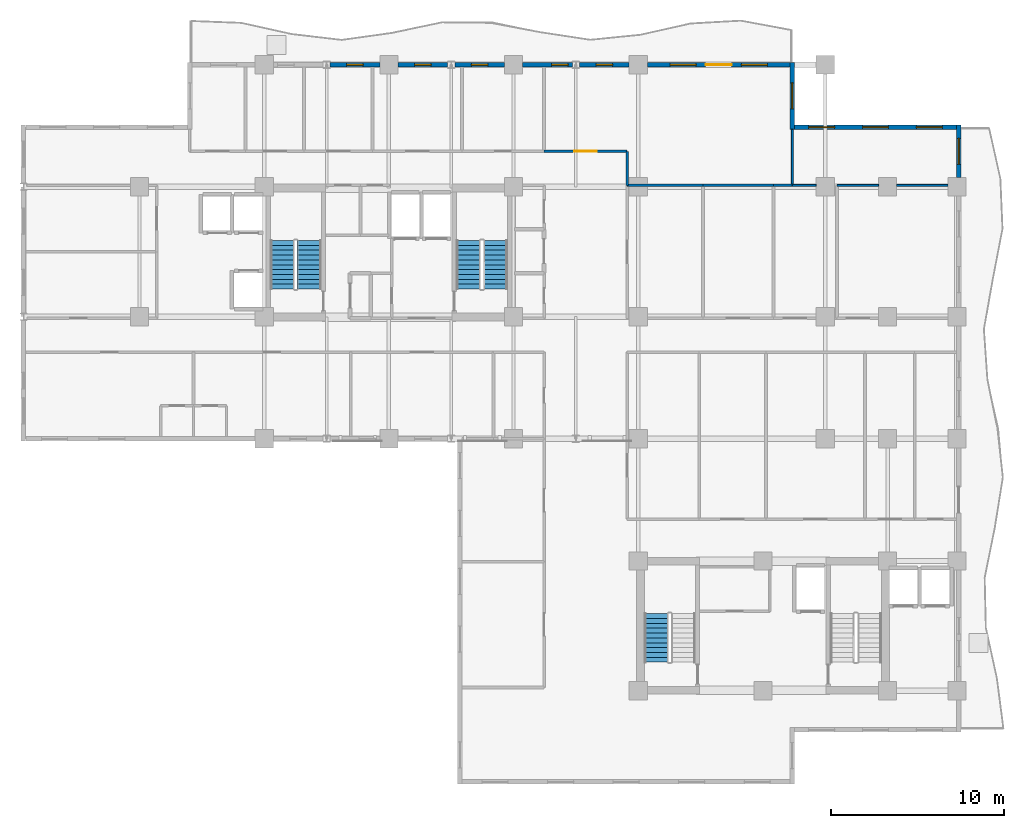
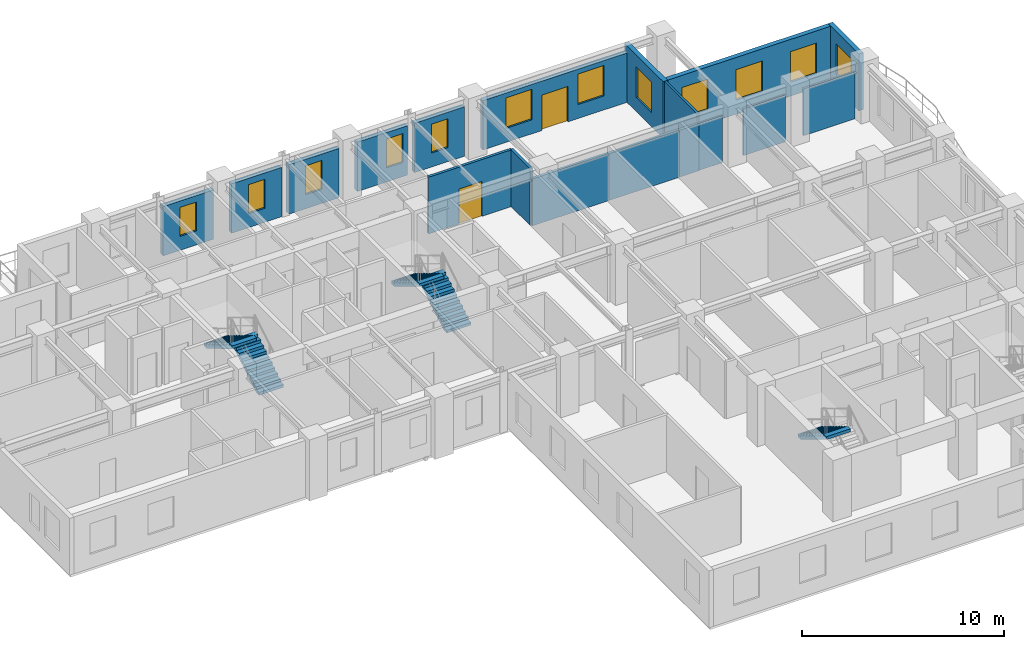
# One storey, part 9 of 13: 18 walls, 12 windows, 5 stair flights, 2 doors, 14 openings, 3 elements without a shape of their own.
"""IFC4 building model written with IfcOpenShell, lengths in metres."""

import ifcopenshell
import ifcopenshell.guid

model = None  # the IFC model being written
_history = None  # IfcOwnerHistory: only IFC2X3 demands one
_inside = {}  # id of a spatial element -> (the spatial element, [elements in it])
_under = {}  # id of a project, library or spatial element -> (it, [spatial elements below it])
_declared = {}  # id of a project -> (the project, [libraries it declares])
_typed = {}  # id of a type object -> (the type object, [elements of that type])
_made_of = {}  # id of a material, layer set ... -> (it, [elements and type objects made of it])


def new_model(schema):
    """Start an empty IFC model of exactly this schema.

    Asked for "IFC4X3", IfcOpenShell would pick the latest addendum, in which some entities
    have other attributes; the version numbers below select the first issue.
    IFC2X3 requires an IfcOwnerHistory on every rooted entity: one is made here for all.
    """
    global model, _history
    if schema == "IFC4X3":
        model = ifcopenshell.file(schema_version=(4, 3, 0, 0))
    else:
        model = ifcopenshell.file(schema=schema)
    _inside.clear()
    _under.clear()
    _declared.clear()
    _typed.clear()
    _made_of.clear()
    _history = None
    if model.schema == "IFC2X3":
        org = make("IfcOrganization", Name="unknown")
        user = make(
            "IfcPersonAndOrganization",
            ThePerson=make("IfcPerson", FamilyName="unknown"),
            TheOrganization=org,
        )
        app = make(
            "IfcApplication",
            ApplicationDeveloper=org,
            Version="unknown",
            ApplicationFullName="unknown",
            ApplicationIdentifier="unknown",
        )
        _history = make(
            "IfcOwnerHistory",
            OwningUser=user,
            OwningApplication=app,
            ChangeAction="ADDED",
            CreationDate=0,
        )
    return model


def make(cls, **values):
    """One entity of the class cls with the attributes given. An attribute that is None is left unset."""
    return model.create_entity(
        cls, **{name: value for name, value in values.items() if value is not None}
    )


def rooted(cls, **values):
    """An entity with a GlobalId (a new one), such as an element, a storey or a relation."""
    return make(cls, GlobalId=ifcopenshell.guid.new(), OwnerHistory=_history, **values)


def si_unit(unit_type, name, prefix=None):
    """IfcSIUnit, for example si_unit("LENGTHUNIT", "METRE", prefix="MILLI")."""
    return make("IfcSIUnit", UnitType=unit_type, Prefix=prefix, Name=name)


def assignment(units):
    """IfcUnitAssignment: the units of a project."""
    return None if units is None else make("IfcUnitAssignment", Units=units)


def point(xyz):
    """IfcCartesianPoint."""
    return None if xyz is None else make("IfcCartesianPoint", Coordinates=xyz)


def direction(xyz):
    """IfcDirection."""
    return None if xyz is None else make("IfcDirection", DirectionRatios=xyz)


def frame(location, z_axis=None, x_axis=None):
    """IfcAxis2Placement3D, a coordinate frame: its origin and axes. An axis left out is left unset."""
    return make(
        "IfcAxis2Placement3D",
        Location=point(location),
        Axis=direction(z_axis),
        RefDirection=direction(x_axis),
    )


def frame_2d(location, x_axis=None):
    """IfcAxis2Placement2D, a coordinate frame in the plane: its origin and x axis."""
    return make(
        "IfcAxis2Placement2D", Location=point(location), RefDirection=direction(x_axis)
    )


def origin():
    """The frame at (0, 0, 0) with its axes left unset."""
    return frame((0.0, 0.0, 0.0))


def place(relative_to, where):
    """IfcLocalPlacement: puts the frame where relative to a parent placement (None: the world)."""
    return make(
        "IfcLocalPlacement", PlacementRelTo=relative_to, RelativePlacement=where
    )


def context(
    kind, dimensions, precision=None, world=None, true_north=None, identifier=None
):
    """IfcGeometricRepresentationContext, for example the 3D "Model" context."""
    return make(
        "IfcGeometricRepresentationContext",
        ContextIdentifier=identifier,
        ContextType=kind,
        CoordinateSpaceDimension=dimensions,
        Precision=precision,
        WorldCoordinateSystem=world,
        TrueNorth=true_north,
    )


def subcontext(parent, identifier, kind, view, scale=None):
    """IfcGeometricRepresentationSubContext, for example "Body" below "Model"."""
    return make(
        "IfcGeometricRepresentationSubContext",
        ContextIdentifier=identifier,
        ContextType=kind,
        ParentContext=parent,
        TargetScale=scale,
        TargetView=view,
    )


def project(units=None, contexts=None):
    """IfcProject with its units and contexts."""
    return rooted(
        "IfcProject",
        Name="project",
        RepresentationContexts=contexts,
        UnitsInContext=assignment(units),
    )


def spatial(cls, under=None, at=None, **own):
    """A site, building, storey or space (cls), placed at a placement, below another one or the project."""
    s = rooted(cls, ObjectPlacement=at, **own)
    if under is not None:
        _under.setdefault(under.id(), (under, []))[1].append(s)
    return s


def polyline(points):
    """IfcPolyline through the points."""
    return make("IfcPolyline", Points=[point(p) for p in points])


def profile(cls, at=None, kind="AREA", **sizes):
    """A parametric profile (cls). Its sizes go by their IFC names, for example OverallWidth=200.0."""
    return make(cls, ProfileType=kind, Position=at, **sizes)


def rectangle(**sizes):
    """IfcRectangleProfileDef."""
    return profile("IfcRectangleProfileDef", **sizes)


def outline(outer, holes=None, kind="AREA"):
    """IfcArbitraryClosedProfileDef: a profile drawn as a closed curve; with holes, ...WithVoids."""
    if holes is None:
        return make("IfcArbitraryClosedProfileDef", ProfileType=kind, OuterCurve=outer)
    return make(
        "IfcArbitraryProfileDefWithVoids",
        ProfileType=kind,
        OuterCurve=outer,
        InnerCurves=holes,
    )


def extrude(swept, where, along, depth):
    """IfcExtrudedAreaSolid: the profile swept, set in the frame where, extruded along a direction by depth."""
    return make(
        "IfcExtrudedAreaSolid",
        SweptArea=swept,
        Position=where,
        ExtrudedDirection=direction(along),
        Depth=depth,
    )


def shape(context_of_items, identifier, shape_type, items):
    """IfcShapeRepresentation: the items that make up one representation, for example the "Body"."""
    return make(
        "IfcShapeRepresentation",
        ContextOfItems=context_of_items,
        RepresentationIdentifier=identifier,
        RepresentationType=shape_type,
        Items=items,
    )


def material(Name=None, Category=None):
    """IfcMaterial."""
    return make("IfcMaterial", Name=Name, Category=Category)


def layer(
    of_material, thickness, ventilated=None, Name=None, Category=None, Priority=None
):
    """IfcMaterialLayer: one layer of a wall or slab, of a material (None: an air gap)."""
    return make(
        "IfcMaterialLayer",
        Material=of_material,
        LayerThickness=thickness,
        IsVentilated=ventilated,
        Name=Name,
        Category=Category,
        Priority=Priority,
    )


def layer_set(layers, Name=None):
    """IfcMaterialLayerSet."""
    return make("IfcMaterialLayerSet", MaterialLayers=layers, LayerSetName=Name)


def made_of(thing, what):
    """Note that an element or type object is made of a material, layer set ...; save() writes the relation."""
    if what is not None:
        _made_of.setdefault(what.id(), (what, []))[1].append(thing)
    return thing


def type_object(cls, material=None, **own):
    """A type object (cls), such as IfcWallType, which elements share."""
    return made_of(rooted(cls, **own), material)


def element(
    cls,
    number,
    at=None,
    inside=None,
    cuts=None,
    type_object=None,
    material=None,
    context=None,
    identifier="Body",
    shape_type=None,
    held_by="IfcProductDefinitionShape",
    body=None,
    shapes=None,
    **own,
):
    """One element of the class cls, such as IfcWall. Its Tag is "e" and its number.

    at: its placement. inside: the storey or other place that contains it. cuts: it is an
    opening in that element (IfcRelVoidsElement). A single representation is given by context,
    identifier, shape_type and body (its items); several are given by shapes. held_by: the class
    of the entity that holds the representations. save() writes the other relations.
    """
    e = rooted(cls, Tag="e%d" % number, ObjectPlacement=at, **own)
    if body is not None:
        shapes = [shape(context, identifier, shape_type, body)]
    if shapes is not None:
        e.Representation = make(held_by, Representations=shapes)
    if inside is not None:
        _inside.setdefault(inside.id(), (inside, []))[1].append(e)
    if cuts is not None:
        rooted(
            "IfcRelVoidsElement", RelatingBuildingElement=cuts, RelatedOpeningElement=e
        )
    if type_object is not None:
        _typed.setdefault(type_object.id(), (type_object, []))[1].append(e)
    return made_of(e, material)


def fill(opening, filler):
    """IfcRelFillsElement: the door or window that sits in an opening."""
    return rooted(
        "IfcRelFillsElement",
        RelatingOpeningElement=opening,
        RelatedBuildingElement=filler,
    )


def aggregate(whole, parts):
    """IfcRelAggregates: a whole, such as a stair, and the parts it consists of."""
    return rooted("IfcRelAggregates", RelatingObject=whole, RelatedObjects=parts)


def save(model, path):
    """Write the relations noted so far, then the file.

    IfcRelAggregates (storeys below a building ...), IfcRelContainedInSpatialStructure (elements
    in a storey), IfcRelDefinesByType, IfcRelAssociatesMaterial and IfcRelDeclares: one each for
    every whole, place, type object, material and project.
    """
    for whole, parts in _under.values():
        aggregate(whole, parts)
    for where, things in _inside.values():
        rooted(
            "IfcRelContainedInSpatialStructure",
            RelatedElements=things,
            RelatingStructure=where,
        )
    for kind, things in _typed.values():
        rooted("IfcRelDefinesByType", RelatedObjects=things, RelatingType=kind)
    for what, things in _made_of.values():
        rooted("IfcRelAssociatesMaterial", RelatedObjects=things, RelatingMaterial=what)
    for by, libraries in _declared.values():
        rooted("IfcRelDeclares", RelatingContext=by, RelatedDefinitions=libraries)
    model.write(path)


model = new_model("IFC4")

# Units and contexts
model_context = context("Model", 3, precision=1e-05, world=origin(), true_north=direction((0.0, 1.0)))
body_context = subcontext(model_context, "Body", "Model", "MODEL_VIEW")
ifc_project = project(units=[si_unit("LENGTHUNIT", "METRE"), si_unit("AREAUNIT", "SQUARE_METRE"), si_unit("VOLUMEUNIT", "CUBIC_METRE"), si_unit("PLANEANGLEUNIT", "RADIAN"), si_unit("MASSUNIT", "GRAM", prefix="KILO")], contexts=[model_context])

# Site, building, storey
site_placement = place(None, origin())
site = spatial("IfcSite", under=ifc_project, at=site_placement, CompositionType="ELEMENT")
building_placement = place(site_placement, origin())
building = spatial("IfcBuilding", under=site, at=building_placement, Name="Kaliganga Portal Commons", CompositionType="ELEMENT")
storey_placement = place(building_placement, frame((0.0, 0.0, 173.5)))
storey = spatial("IfcBuildingStorey", under=building, at=storey_placement, Name="L44", CompositionType="ELEMENT", Elevation=173.5)

# Wall, opening, window
ifc_material_1 = material(Name="Insulated Aluminium-Clad Spandrel Assembly", Category="aluminium")
ifc_layer_1 = layer(ifc_material_1, 0.260009765625)
ifc_layer_set_1 = layer_set([ifc_layer_1], Name="Insulated Aluminium-Clad Spandrel Assembly")
wall_type_1 = type_object("IfcWallType", Name="WL-EXT-SPAND-260", PredefinedType="STANDARD", material=ifc_layer_set_1)
wall_1_placement = place(storey_placement, frame((54.5, 39.72998046875, 0.0), z_axis=(0.0, 0.0, 1.0), x_axis=(0.0, -1.0, 0.0)))
wall_1 = element("IfcWall", 1, at=wall_1_placement, inside=storey, type_object=wall_type_1, Name="Exterior Envelope Wall L44 P1-E03-S6", PredefinedType="STANDARD", context=body_context, shape_type="SweptSolid", body=[
    extrude(rectangle(XDim=3.053955078125, YDim=0.260009765625, at=frame_2d((1.52685546875, 0.0))), origin(), (0.0, 0.0, 1.0), 3.43994140625),
])
opening_1_placement = place(wall_1_placement, frame((0.777099609375, 0.0, 0.85009765625)))
opening_1 = element("IfcOpeningElement", 2, at=opening_1_placement, cuts=wall_1, Name="Opening W-02", PredefinedType="OPENING", context=body_context, shape_type="SweptSolid", body=[
    extrude(rectangle(XDim=1.5, YDim=1.85009765625, at=frame_2d((0.75, 0.925048828125))), frame((0.0, 0.14013671875, 0.0), z_axis=(0.0, -1.0, 0.0), x_axis=(1.0, 0.0, 0.0)), (0.0, 0.0, 1.0), 0.280029296875),
])
ifc_material_2 = material(Name="Thermally Broken Aluminium and Low-E Double Glazing", Category="aluminium")
window_type_1 = type_object("IfcWindowType", Name="WIN-STD-1500", PartitioningType="DOUBLE_PANEL_VERTICAL", PredefinedType="WINDOW", material=ifc_material_2)
window_1_placement = place(opening_1_placement, origin())
window_1 = element("IfcWindow", 3, at=window_1_placement, inside=storey, type_object=window_type_1, Name="Facade Window L44-P1E03S6-00", OverallHeight=1.85009765625, OverallWidth=1.5, PartitioningType="SINGLE_PANEL", PredefinedType="WINDOW", context=body_context, shape_type="SweptSolid", body=[
    extrude(rectangle(XDim=1.5, YDim=1.85009765625, at=frame_2d((0.75, 0.925048828125))), frame((0.0, 0.030029296875, 0.0), z_axis=(0.0, -1.0, 0.0), x_axis=(1.0, 0.0, 0.0)), (0.0, 0.0, 1.0), 0.06005859375),
])
fill(opening_1, window_1)

# Wall, openings, windows
wall_2_placement = place(storey_placement, frame((45.034912109375, 39.60009765625, 0.0), z_axis=(0.0, 0.0, 1.0), x_axis=(1.0, 0.0, 0.0)))
wall_2 = element("IfcWall", 4, at=wall_2_placement, inside=storey, type_object=wall_type_1, Name="Exterior Envelope Wall L44 P1-E04-S1", PredefinedType="STANDARD", context=body_context, shape_type="SweptSolid", body=[
    extrude(rectangle(XDim=9.330078125, YDim=0.260009765625, at=frame_2d((4.6650390625, 0.0))), origin(), (0.0, 0.0, 1.0), 3.43994140625),
])
opening_2_placement = place(wall_2_placement, frame((0.804931640625, 0.0, 0.85009765625)))
opening_2 = element("IfcOpeningElement", 5, at=opening_2_placement, cuts=wall_2, Name="Opening W-02", PredefinedType="OPENING", context=body_context, shape_type="SweptSolid", body=[
    extrude(rectangle(XDim=1.5, YDim=1.85009765625, at=frame_2d((0.75, 0.925048828125))), frame((0.0, 0.14013671875, 0.0), z_axis=(0.0, -1.0, 0.0), x_axis=(1.0, 0.0, 0.0)), (0.0, 0.0, 1.0), 0.280029296875),
])
opening_3_placement = place(wall_2_placement, frame((3.9150390625, 0.0, 0.85009765625)))
opening_3 = element("IfcOpeningElement", 6, at=opening_3_placement, cuts=wall_2, Name="Opening W-02", PredefinedType="OPENING", context=body_context, shape_type="SweptSolid", body=[
    extrude(rectangle(XDim=1.5, YDim=1.85009765625, at=frame_2d((0.75, 0.925048828125))), frame((0.0, 0.14013671875, 0.0), z_axis=(0.0, -1.0, 0.0), x_axis=(1.0, 0.0, 0.0)), (0.0, 0.0, 1.0), 0.280029296875),
])
opening_4_placement = place(wall_2_placement, frame((7.02490234375, 0.0, 0.85009765625)))
opening_4 = element("IfcOpeningElement", 7, at=opening_4_placement, cuts=wall_2, Name="Opening W-02", PredefinedType="OPENING", context=body_context, shape_type="SweptSolid", body=[
    extrude(rectangle(XDim=1.5, YDim=1.85009765625, at=frame_2d((0.75, 0.925048828125))), frame((0.0, 0.14013671875, 0.0), z_axis=(0.0, -1.0, 0.0), x_axis=(1.0, 0.0, 0.0)), (0.0, 0.0, 1.0), 0.280029296875),
])
window_2_placement = place(opening_2_placement, origin())
window_2 = element("IfcWindow", 8, at=window_2_placement, inside=storey, type_object=window_type_1, Name="Facade Window L44-P1E04S1-00", OverallHeight=1.85009765625, OverallWidth=1.5, PartitioningType="SINGLE_PANEL", PredefinedType="WINDOW", context=body_context, shape_type="SweptSolid", body=[
    extrude(rectangle(XDim=1.5, YDim=1.85009765625, at=frame_2d((0.75, 0.925048828125))), frame((0.0, 0.030029296875, 0.0), z_axis=(0.0, -1.0, 0.0), x_axis=(1.0, 0.0, 0.0)), (0.0, 0.0, 1.0), 0.06005859375),
])
fill(opening_2, window_2)
window_3_placement = place(opening_3_placement, origin())
window_3 = element("IfcWindow", 9, at=window_3_placement, inside=storey, type_object=window_type_1, Name="Facade Window L44-P1E04S1-01", OverallHeight=1.85009765625, OverallWidth=1.5, PartitioningType="SINGLE_PANEL", PredefinedType="WINDOW", context=body_context, shape_type="SweptSolid", body=[
    extrude(rectangle(XDim=1.5, YDim=1.85009765625, at=frame_2d((0.75, 0.925048828125))), frame((0.0, 0.030029296875, 0.0), z_axis=(0.0, -1.0, 0.0), x_axis=(1.0, 0.0, 0.0)), (0.0, 0.0, 1.0), 0.06005859375),
])
fill(opening_3, window_3)
window_4_placement = place(opening_4_placement, origin())
window_4 = element("IfcWindow", 10, at=window_4_placement, inside=storey, type_object=window_type_1, Name="Facade Window L44-P1E04S1-02", OverallHeight=1.85009765625, OverallWidth=1.5, PartitioningType="SINGLE_PANEL", PredefinedType="WINDOW", context=body_context, shape_type="SweptSolid", body=[
    extrude(rectangle(XDim=1.5, YDim=1.85009765625, at=frame_2d((0.75, 0.925048828125))), frame((0.0, 0.030029296875, 0.0), z_axis=(0.0, -1.0, 0.0), x_axis=(1.0, 0.0, 0.0)), (0.0, 0.0, 1.0), 0.06005859375),
])
fill(opening_4, window_4)

# Wall, opening, window
wall_3_placement = place(storey_placement, frame((44.89990234375, 43.330078125, 0.0), z_axis=(0.0, 0.0, 1.0), x_axis=(0.0, -1.0, 0.0)))
wall_3 = element("IfcWall", 11, at=wall_3_placement, inside=storey, type_object=wall_type_1, Name="Exterior Envelope Wall L44 P1-E05-S1", PredefinedType="STANDARD", context=body_context, shape_type="SweptSolid", body=[
    extrude(rectangle(XDim=3.860107421875, YDim=0.260009765625, at=frame_2d((1.93017578125, 0.0))), origin(), (0.0, 0.0, 1.0), 3.43994140625),
])
opening_5_placement = place(wall_3_placement, frame((1.179931640625, 0.0, 0.85009765625)))
opening_5 = element("IfcOpeningElement", 12, at=opening_5_placement, cuts=wall_3, Name="Opening W-02", PredefinedType="OPENING", context=body_context, shape_type="SweptSolid", body=[
    extrude(rectangle(XDim=1.5, YDim=1.85009765625, at=frame_2d((0.75, 0.925048828125))), frame((0.0, 0.14013671875, 0.0), z_axis=(0.0, -1.0, 0.0), x_axis=(1.0, 0.0, 0.0)), (0.0, 0.0, 1.0), 0.280029296875),
])
window_5_placement = place(opening_5_placement, origin())
window_5 = element("IfcWindow", 13, at=window_5_placement, inside=storey, type_object=window_type_1, Name="Facade Window L44-P1E05S1-00", OverallHeight=1.85009765625, OverallWidth=1.5, PartitioningType="SINGLE_PANEL", PredefinedType="WINDOW", context=body_context, shape_type="SweptSolid", body=[
    extrude(rectangle(XDim=1.5, YDim=1.85009765625, at=frame_2d((0.75, 0.925048828125))), frame((0.0, 0.030029296875, 0.0), z_axis=(0.0, -1.0, 0.0), x_axis=(1.0, 0.0, 0.0)), (0.0, 0.0, 1.0), 0.06005859375),
])
fill(opening_5, window_5)

# Wall, openings, door, windows
wall_4_placement = place(storey_placement, frame((36.52587890625, 43.199951171875, 0.0), z_axis=(0.0, 0.0, 1.0), x_axis=(1.0, 0.0, 0.0)))
wall_4 = element("IfcWall", 14, at=wall_4_placement, inside=storey, type_object=wall_type_1, Name="Exterior Envelope Wall L44 P1-E06-S1", PredefinedType="STANDARD", context=body_context, shape_type="SweptSolid", body=[
    extrude(rectangle(XDim=8.239013671875, YDim=0.260009765625, at=frame_2d((4.11962890625, 0.0))), origin(), (0.0, 0.0, 1.0), 2.989990234375),
])
opening_6_placement = place(wall_4_placement, frame((3.368896484375, 0.0, 0.0)))
opening_6 = element("IfcOpeningElement", 15, at=opening_6_placement, cuts=wall_4, Name="Opening BD-01", PredefinedType="OPENING", context=body_context, shape_type="SweptSolid", body=[
    extrude(rectangle(XDim=1.5, YDim=2.14990234375, at=frame_2d((0.75, 1.074951171875))), frame((0.0, 0.14013671875, 0.0), z_axis=(0.0, -1.0, 0.0), x_axis=(1.0, 0.0, 0.0)), (0.0, 0.0, 1.0), 0.280029296875),
])
opening_7_placement = place(wall_4_placement, frame((1.309814453125, 0.0, 0.85009765625)))
opening_7 = element("IfcOpeningElement", 16, at=opening_7_placement, cuts=wall_4, Name="Opening W-02", PredefinedType="OPENING", context=body_context, shape_type="SweptSolid", body=[
    extrude(rectangle(XDim=1.5, YDim=1.85009765625, at=frame_2d((0.75, 0.925048828125))), frame((0.0, 0.14013671875, 0.0), z_axis=(0.0, -1.0, 0.0), x_axis=(1.0, 0.0, 0.0)), (0.0, 0.0, 1.0), 0.280029296875),
])
opening_8_placement = place(wall_4_placement, frame((5.42919921875, 0.0, 0.85009765625)))
opening_8 = element("IfcOpeningElement", 17, at=opening_8_placement, cuts=wall_4, Name="Opening W-02", PredefinedType="OPENING", context=body_context, shape_type="SweptSolid", body=[
    extrude(rectangle(XDim=1.5, YDim=1.85009765625, at=frame_2d((0.75, 0.925048828125))), frame((0.0, 0.14013671875, 0.0), z_axis=(0.0, -1.0, 0.0), x_axis=(1.0, 0.0, 0.0)), (0.0, 0.0, 1.0), 0.280029296875),
])
ifc_material_3 = material(Name="Anodized Aluminium and Laminated Safety Glass", Category="aluminium")
door_type_1 = type_object("IfcDoorType", Name="DR-BALC-1500", OperationType="SLIDING_TO_LEFT", PredefinedType="DOOR", material=ifc_material_3)
door_1_placement = place(opening_6_placement, origin())
door_1 = element("IfcDoor", 18, at=door_1_placement, inside=storey, type_object=door_type_1, Name="Balcony Sliding Door L44 balc_north", OperationType="SLIDING_TO_LEFT", OverallHeight=2.14990234375, OverallWidth=1.5, PredefinedType="DOOR", context=body_context, shape_type="SweptSolid", body=[
    extrude(rectangle(XDim=1.5, YDim=2.14990234375, at=frame_2d((0.75, 1.074951171875))), frame((0.0, 0.02490234375, 0.0), z_axis=(0.0, -1.0, 0.0), x_axis=(1.0, 0.0, 0.0)), (0.0, 0.0, 1.0), 0.050048828125),
])
fill(opening_6, door_1)
window_6_placement = place(opening_7_placement, origin())
window_6 = element("IfcWindow", 19, at=window_6_placement, inside=storey, type_object=window_type_1, Name="Facade Window L44-P1E06S1-00", OverallHeight=1.85009765625, OverallWidth=1.5, PartitioningType="SINGLE_PANEL", PredefinedType="WINDOW", context=body_context, shape_type="SweptSolid", body=[
    extrude(rectangle(XDim=1.5, YDim=1.85009765625, at=frame_2d((0.75, 0.925048828125))), frame((0.0, 0.030029296875, 0.0), z_axis=(0.0, -1.0, 0.0), x_axis=(1.0, 0.0, 0.0)), (0.0, 0.0, 1.0), 0.06005859375),
])
fill(opening_7, window_6)
window_7_placement = place(opening_8_placement, origin())
window_7 = element("IfcWindow", 20, at=window_7_placement, inside=storey, type_object=window_type_1, Name="Facade Window L44-P1E06S1-01", OverallHeight=1.85009765625, OverallWidth=1.5, PartitioningType="SINGLE_PANEL", PredefinedType="WINDOW", context=body_context, shape_type="SweptSolid", body=[
    extrude(rectangle(XDim=1.5, YDim=1.85009765625, at=frame_2d((0.75, 0.925048828125))), frame((0.0, 0.030029296875, 0.0), z_axis=(0.0, -1.0, 0.0), x_axis=(1.0, 0.0, 0.0)), (0.0, 0.0, 1.0), 0.06005859375),
])
fill(opening_8, window_7)

# Wall, opening, window
wall_5_placement = place(storey_placement, frame((32.60302734375, 43.199951171875, 0.0), z_axis=(0.0, 0.0, 1.0), x_axis=(1.0, 0.0, 0.0)))
wall_5 = element("IfcWall", 21, at=wall_5_placement, inside=storey, type_object=wall_type_1, Name="Exterior Envelope Wall L44 P1-E06-S2", PredefinedType="STANDARD", context=body_context, shape_type="SweptSolid", body=[
    extrude(rectangle(XDim=2.87109375, YDim=0.260009765625, at=frame_2d((1.435546875, 0.0))), origin(), (0.0, 0.0, 1.0), 2.989990234375),
])
opening_9_placement = place(wall_5_placement, frame((0.96044921875, 0.0, 0.85009765625)))
opening_9 = element("IfcOpeningElement", 22, at=opening_9_placement, cuts=wall_5, Name="Opening W-04", PredefinedType="OPENING", context=body_context, shape_type="SweptSolid", body=[
    extrude(rectangle(XDim=0.949951171875, YDim=1.75, at=frame_2d((0.47509765625, 0.875))), frame((0.0, 0.14013671875, 0.0), z_axis=(0.0, -1.0, 0.0), x_axis=(1.0, 0.0, 0.0)), (0.0, 0.0, 1.0), 0.280029296875),
])
window_type_2 = type_object("IfcWindowType", Name="WIN-NARROW-950", PartitioningType="SINGLE_PANEL", PredefinedType="WINDOW", material=ifc_material_2)
window_8_placement = place(opening_9_placement, origin())
window_8 = element("IfcWindow", 23, at=window_8_placement, inside=storey, type_object=window_type_2, Name="Facade Window L44-P1E06S2-00", OverallHeight=1.75, OverallWidth=0.949951171875, PartitioningType="SINGLE_PANEL", PredefinedType="WINDOW", context=body_context, shape_type="SweptSolid", body=[
    extrude(rectangle(XDim=0.949951171875, YDim=1.75, at=frame_2d((0.47509765625, 0.875))), frame((0.0, 0.030029296875, 0.0), z_axis=(0.0, -1.0, 0.0), x_axis=(1.0, 0.0, 0.0)), (0.0, 0.0, 1.0), 0.06005859375),
])
fill(opening_9, window_8)

wall_6_placement = place(storey_placement, frame((29.325927734375, 43.199951171875, 0.0), z_axis=(0.0, 0.0, 1.0), x_axis=(1.0, 0.0, 0.0)))
wall_6 = element("IfcWall", 24, at=wall_6_placement, inside=storey, type_object=wall_type_1, Name="Exterior Envelope Wall L44 P1-E06-S3", PredefinedType="STANDARD", context=body_context, shape_type="SweptSolid", body=[
    extrude(rectangle(XDim=2.87109375, YDim=0.260009765625, at=frame_2d((1.435546875, 0.0))), origin(), (0.0, 0.0, 1.0), 2.989990234375),
])
opening_10_placement = place(wall_6_placement, frame((1.672607421875, 0.0, 0.85009765625)))
opening_10 = element("IfcOpeningElement", 25, at=opening_10_placement, cuts=wall_6, Name="Opening W-04", PredefinedType="OPENING", context=body_context, shape_type="SweptSolid", body=[
    extrude(rectangle(XDim=0.949951171875, YDim=1.75, at=frame_2d((0.47509765625, 0.875))), frame((0.0, 0.14013671875, 0.0), z_axis=(0.0, -1.0, 0.0), x_axis=(1.0, 0.0, 0.0)), (0.0, 0.0, 1.0), 0.280029296875),
])
window_9_placement = place(opening_10_placement, origin())
window_9 = element("IfcWindow", 26, at=window_9_placement, inside=storey, type_object=window_type_2, Name="Facade Window L44-P1E06S3-N2", OverallHeight=1.75, OverallWidth=0.949951171875, PartitioningType="SINGLE_PANEL", PredefinedType="WINDOW", context=body_context, shape_type="SweptSolid", body=[
    extrude(rectangle(XDim=0.949951171875, YDim=1.75, at=frame_2d((0.47509765625, 0.875))), frame((0.0, 0.030029296875, 0.0), z_axis=(0.0, -1.0, 0.0), x_axis=(1.0, 0.0, 0.0)), (0.0, 0.0, 1.0), 0.06005859375),
])
fill(opening_10, window_9)

wall_7_placement = place(storey_placement, frame((25.403076171875, 43.199951171875, 0.0), z_axis=(0.0, 0.0, 1.0), x_axis=(1.0, 0.0, 0.0)))
wall_7 = element("IfcWall", 27, at=wall_7_placement, inside=storey, type_object=wall_type_1, Name="Exterior Envelope Wall L44 P1-E06-S4", PredefinedType="STANDARD", context=body_context, shape_type="SweptSolid", body=[
    extrude(rectangle(XDim=2.870849609375, YDim=0.260009765625, at=frame_2d((1.435546875, 0.0))), origin(), (0.0, 0.0, 1.0), 2.989990234375),
])
opening_11_placement = place(wall_7_placement, frame((0.96044921875, 0.0, 0.85009765625)))
opening_11 = element("IfcOpeningElement", 28, at=opening_11_placement, cuts=wall_7, Name="Opening W-04", PredefinedType="OPENING", context=body_context, shape_type="SweptSolid", body=[
    extrude(rectangle(XDim=0.949951171875, YDim=1.75, at=frame_2d((0.47509765625, 0.875))), frame((0.0, 0.14013671875, 0.0), z_axis=(0.0, -1.0, 0.0), x_axis=(1.0, 0.0, 0.0)), (0.0, 0.0, 1.0), 0.280029296875),
])
window_10_placement = place(opening_11_placement, origin())
window_10 = element("IfcWindow", 29, at=window_10_placement, inside=storey, type_object=window_type_2, Name="Facade Window L44-P1E06S4-00", OverallHeight=1.75, OverallWidth=0.949951171875, PartitioningType="SINGLE_PANEL", PredefinedType="WINDOW", context=body_context, shape_type="SweptSolid", body=[
    extrude(rectangle(XDim=0.949951171875, YDim=1.75, at=frame_2d((0.47509765625, 0.875))), frame((0.0, 0.030029296875, 0.0), z_axis=(0.0, -1.0, 0.0), x_axis=(1.0, 0.0, 0.0)), (0.0, 0.0, 1.0), 0.06005859375),
])
fill(opening_11, window_10)

wall_8_placement = place(storey_placement, frame((22.1259765625, 43.199951171875, 0.0), z_axis=(0.0, 0.0, 1.0), x_axis=(1.0, 0.0, 0.0)))
wall_8 = element("IfcWall", 30, at=wall_8_placement, inside=storey, type_object=wall_type_1, Name="Exterior Envelope Wall L44 P1-E06-S5", PredefinedType="STANDARD", context=body_context, shape_type="SweptSolid", body=[
    extrude(rectangle(XDim=2.87109375, YDim=0.260009765625, at=frame_2d((1.435546875, 0.0))), origin(), (0.0, 0.0, 1.0), 2.989990234375),
])
opening_12_placement = place(wall_8_placement, frame((0.96044921875, 0.0, 0.85009765625)))
opening_12 = element("IfcOpeningElement", 31, at=opening_12_placement, cuts=wall_8, Name="Opening W-04", PredefinedType="OPENING", context=body_context, shape_type="SweptSolid", body=[
    extrude(rectangle(XDim=0.949951171875, YDim=1.75, at=frame_2d((0.47509765625, 0.875))), frame((0.0, 0.14013671875, 0.0), z_axis=(0.0, -1.0, 0.0), x_axis=(1.0, 0.0, 0.0)), (0.0, 0.0, 1.0), 0.280029296875),
])
window_11_placement = place(opening_12_placement, origin())
window_11 = element("IfcWindow", 32, at=window_11_placement, inside=storey, type_object=window_type_2, Name="Facade Window L44-P1E06S5-00", OverallHeight=1.75, OverallWidth=0.949951171875, PartitioningType="SINGLE_PANEL", PredefinedType="WINDOW", context=body_context, shape_type="SweptSolid", body=[
    extrude(rectangle(XDim=0.949951171875, YDim=1.75, at=frame_2d((0.47509765625, 0.875))), frame((0.0, 0.030029296875, 0.0), z_axis=(0.0, -1.0, 0.0), x_axis=(1.0, 0.0, 0.0)), (0.0, 0.0, 1.0), 0.06005859375),
])
fill(opening_12, window_11)

wall_9_placement = place(storey_placement, frame((18.202880859375, 43.199951171875, 0.0), z_axis=(0.0, 0.0, 1.0), x_axis=(1.0, 0.0, 0.0)))
wall_9 = element("IfcWall", 33, at=wall_9_placement, inside=storey, type_object=wall_type_1, Name="Exterior Envelope Wall L44 P1-E06-S6", PredefinedType="STANDARD", context=body_context, shape_type="SweptSolid", body=[
    extrude(rectangle(XDim=2.87109375, YDim=0.260009765625, at=frame_2d((1.435546875, 0.0))), origin(), (0.0, 0.0, 1.0), 2.989990234375),
])
opening_13_placement = place(wall_9_placement, frame((0.96044921875, 0.0, 0.85009765625)))
opening_13 = element("IfcOpeningElement", 34, at=opening_13_placement, cuts=wall_9, Name="Opening W-04", PredefinedType="OPENING", context=body_context, shape_type="SweptSolid", body=[
    extrude(rectangle(XDim=0.949951171875, YDim=1.75, at=frame_2d((0.47509765625, 0.875))), frame((0.0, 0.14013671875, 0.0), z_axis=(0.0, -1.0, 0.0), x_axis=(1.0, 0.0, 0.0)), (0.0, 0.0, 1.0), 0.280029296875),
])
window_12_placement = place(opening_13_placement, origin())
window_12 = element("IfcWindow", 35, at=window_12_placement, inside=storey, type_object=window_type_2, Name="Facade Window L44-P1E06S6-00", OverallHeight=1.75, OverallWidth=0.949951171875, PartitioningType="SINGLE_PANEL", PredefinedType="WINDOW", context=body_context, shape_type="SweptSolid", body=[
    extrude(rectangle(XDim=0.949951171875, YDim=1.75, at=frame_2d((0.47509765625, 0.875))), frame((0.0, 0.030029296875, 0.0), z_axis=(0.0, -1.0, 0.0), x_axis=(1.0, 0.0, 0.0)), (0.0, 0.0, 1.0), 0.06005859375),
])
fill(opening_13, window_12)

# Wall, opening, door
ifc_material_4 = material(Name="Fire-Rated Gypsum Board on Steel Stud", Category="steel")
ifc_layer_2 = layer(ifc_material_4, 0.14990234375)
ifc_layer_set_2 = layer_set([ifc_layer_2], Name="Fire-Rated Gypsum Board on Steel Stud")
wall_type_2 = type_object("IfcWallType", Name="WL-PART-CORR-150", PredefinedType="PARTITIONING", material=ifc_layer_set_2)
wall_10_placement = place(storey_placement, frame((30.56005859375, 38.199951171875, 0.0), z_axis=(0.0, 0.0, 1.0), x_axis=(1.0, 0.0, 0.0)))
wall_10 = element("IfcWall", 36, at=wall_10_placement, inside=storey, type_object=wall_type_2, Name="Interior Partition L44-022", PredefinedType="PARTITIONING", context=body_context, shape_type="SweptSolid", body=[
    extrude(rectangle(XDim=4.800048828125, YDim=0.14990234375, at=frame_2d((2.39990234375, 0.0))), origin(), (0.0, 0.0, 1.0), 3.43994140625),
])
opening_14_placement = place(wall_10_placement, frame((1.75, 0.0, 0.0)))
opening_14 = element("IfcOpeningElement", 37, at=opening_14_placement, cuts=wall_10, Name="Opening RD-03", PredefinedType="OPENING", context=body_context, shape_type="SweptSolid", body=[
    extrude(rectangle(XDim=1.300048828125, YDim=2.1201171875, at=frame_2d((0.64990234375, 1.06005859375))), frame((0.0, 0.0849609375, 0.0), z_axis=(0.0, -1.0, 0.0), x_axis=(1.0, 0.0, 0.0)), (0.0, 0.0, 1.0), 0.169921875),
])
ifc_material_5 = material(Name="Glazed Timber Seminar Vision Door", Category="wood")
door_type_2 = type_object("IfcDoorType", Name="DR-STUDY-1300", OperationType="DOUBLE_DOOR_SINGLE_SWING", PredefinedType="DOOR", material=ifc_material_5)
door_2_placement = place(opening_14_placement, origin())
door_2 = element("IfcDoor", 38, at=door_2_placement, inside=storey, type_object=door_type_2, Name="Interior Door L44-ANE01", OperationType="DOUBLE_DOOR_SINGLE_SWING", OverallHeight=2.1201171875, OverallWidth=1.300048828125, PredefinedType="DOOR", context=body_context, shape_type="SweptSolid", body=[
    extrude(rectangle(XDim=1.300048828125, YDim=2.1201171875, at=frame_2d((0.64990234375, 1.06005859375))), frame((0.0, 0.02490234375, 0.0), z_axis=(0.0, -1.0, 0.0), x_axis=(1.0, 0.0, 0.0)), (0.0, 0.0, 1.0), 0.050048828125),
])
fill(opening_14, door_2)

# Walls
wall_11_placement = place(storey_placement, frame((35.360107421875, 36.239990234375, 0.0), z_axis=(0.0, 0.0, 1.0), x_axis=(0.0, 1.0, 0.0)))
element("IfcWall", 39, at=wall_11_placement, inside=storey, type_object=wall_type_2, Name="Interior Partition L44-049", PredefinedType="PARTITIONING", context=body_context, shape_type="SweptSolid", body=[
    extrude(rectangle(XDim=1.9599609375, YDim=0.14990234375, at=frame_2d((0.97998046875, 0.0))), origin(), (0.0, 0.0, 1.0), 3.43994140625),
])
ifc_material_6 = material(Name="Moisture-Resistant Gypsum Partition", Category="gypsum")
ifc_layer_3 = layer(ifc_material_6, 0.114990234375)
ifc_layer_set_3 = layer_set([ifc_layer_3], Name="Moisture-Resistant Gypsum Partition")
wall_type_3 = type_object("IfcWallType", Name="WL-PART-ROOM-115", PredefinedType="PARTITIONING", material=ifc_layer_set_3)
wall_12_placement = place(storey_placement, frame((47.47998046875, 36.239990234375, 0.0), z_axis=(0.0, 0.0, 1.0), x_axis=(1.0, 0.0, 0.0)))
element("IfcWall", 40, at=wall_12_placement, inside=storey, type_object=wall_type_3, Name="Interior Partition L44-068", PredefinedType="PARTITIONING", context=body_context, shape_type="SweptSolid", body=[
    extrude(rectangle(XDim=2.39501953125, YDim=0.114990234375, at=frame_2d((1.197509765625, 0.0))), origin(), (0.0, 0.0, 1.0), 2.840087890625),
])
wall_13_placement = place(storey_placement, frame((50.925048828125, 36.239990234375, 0.0), z_axis=(0.0, 0.0, 1.0), x_axis=(1.0, 0.0, 0.0)))
element("IfcWall", 41, at=wall_13_placement, inside=storey, type_object=wall_type_3, Name="Interior Partition L44-069", PredefinedType="PARTITIONING", context=body_context, shape_type="SweptSolid", body=[
    extrude(rectangle(XDim=2.949951171875, YDim=0.114990234375, at=frame_2d((1.47509765625, 0.0))), origin(), (0.0, 0.0, 1.0), 2.840087890625),
])
wall_14_placement = place(storey_placement, frame((44.89990234375, 36.239990234375, 0.0), z_axis=(0.0, 0.0, 1.0), x_axis=(0.0, 1.0, 0.0)))
element("IfcWall", 42, at=wall_14_placement, inside=storey, type_object=wall_type_3, Name="Interior Partition L44-070", PredefinedType="PARTITIONING", context=body_context, shape_type="SweptSolid", body=[
    extrude(rectangle(XDim=3.22802734375, YDim=0.114990234375, at=frame_2d((1.614013671875, 0.0))), origin(), (0.0, 0.0, 1.0), 3.43994140625),
])
wall_15_placement = place(storey_placement, frame((44.89990234375, 36.239990234375, 0.0), z_axis=(0.0, 0.0, 1.0), x_axis=(1.0, 0.0, 0.0)))
element("IfcWall", 43, at=wall_15_placement, inside=storey, type_object=wall_type_3, Name="Interior Partition L44-088", PredefinedType="PARTITIONING", context=body_context, shape_type="SweptSolid", body=[
    extrude(rectangle(XDim=1.375, YDim=0.114990234375, at=frame_2d((0.6875, 0.0))), origin(), (0.0, 0.0, 1.0), 2.840087890625),
])
ifc_material_7 = material(Name="Twin-Stud Acoustic Gypsum Partition", Category="gypsum")
ifc_layer_4 = layer(ifc_material_7, 0.1650390625)
ifc_layer_set_4 = layer_set([ifc_layer_4], Name="Twin-Stud Acoustic Gypsum Partition")
wall_type_4 = type_object("IfcWallType", Name="WL-PART-UNIT-165", PredefinedType="PARTITIONING", material=ifc_layer_set_4)
wall_16_placement = place(storey_placement, frame((35.360107421875, 36.239990234375, 0.0), z_axis=(0.0, 0.0, 1.0), x_axis=(1.0, 0.0, 0.0)))
element("IfcWall", 44, at=wall_16_placement, inside=storey, type_object=wall_type_4, Name="Interior Partition L44-080", PredefinedType="PARTITIONING", context=body_context, shape_type="SweptSolid", body=[
    extrude(rectangle(XDim=4.3798828125, YDim=0.1650390625, at=frame_2d((2.18994140625, 0.0))), origin(), (0.0, 0.0, 1.0), 2.840087890625),
])
wall_17_placement = place(storey_placement, frame((39.739990234375, 36.239990234375, 0.0), z_axis=(0.0, 0.0, 1.0), x_axis=(1.0, 0.0, 0.0)))
element("IfcWall", 45, at=wall_17_placement, inside=storey, type_object=wall_type_4, Name="Interior Partition L44-082", PredefinedType="PARTITIONING", context=body_context, shape_type="SweptSolid", body=[
    extrude(rectangle(XDim=4.06005859375, YDim=0.1650390625, at=frame_2d((2.030029296875, 0.0))), origin(), (0.0, 0.0, 1.0), 2.840087890625),
])
wall_18_placement = place(storey_placement, frame((43.800048828125, 36.239990234375, 0.0), z_axis=(0.0, 0.0, 1.0), x_axis=(1.0, 0.0, 0.0)))
element("IfcWall", 46, at=wall_18_placement, inside=storey, type_object=wall_type_4, Name="Interior Partition L44-094", PredefinedType="PARTITIONING", context=body_context, shape_type="SweptSolid", body=[
    extrude(rectangle(XDim=1.099853515625, YDim=0.1650390625, at=frame_2d((0.5498046875, 0.0))), origin(), (0.0, 0.0, 1.0), 2.840087890625),
])

# Stair, stair flights
ifc_material_8 = material(Name="Concrete C40/50", Category="concrete")
stair_type = type_object("IfcStairType", Name="ST-CORE-DOGLEG", PredefinedType="HALF_TURN_STAIR", material=ifc_material_8)
stair_1_placement = place(storey_placement, origin())
stair_1 = element("IfcStair", 47, at=stair_1_placement, inside=storey, type_object=stair_type, Name="L44 Protected Exit Stair ST-A1", PredefinedType="HALF_TURN_STAIR")
stair_flight_type = type_object("IfcStairFlightType", Name="STF-RC-1400", PredefinedType="STRAIGHT", material=ifc_material_8)
stair_flight_1_placement = place(storey_placement, frame((17.0, 30.25, 0.0), z_axis=(0.0, 0.0, 1.0), x_axis=(0.0, 1.0, 0.0)))
stair_flight_1 = element("IfcStairFlight", 48, at=stair_flight_1_placement, type_object=stair_flight_type, Name="ST-A1 flight 1", NumberOfRisers=11, NumberOfTreads=10, PredefinedType="STRAIGHT", RiserHeight=0.168181818, TreadLength=0.28, context=body_context, shape_type="SweptSolid", body=[
    extrude(outline(polyline([(0.0, 0.0), (0.0, 0.168212890625), (0.280029296875, 0.168212890625), (0.280029296875, 0.33642578125), (0.56005859375, 0.33642578125), (0.56005859375, 0.504638671875), (0.840087890625, 0.504638671875), (0.840087890625, 0.672607421875), (1.1201171875, 0.672607421875), (1.1201171875, 0.8408203125), (1.39990234375, 0.8408203125), (1.39990234375, 1.009033203125), (1.679931640625, 1.009033203125), (1.679931640625, 1.17724609375), (1.9599609375, 1.17724609375), (1.9599609375, 1.345458984375), (2.239990234375, 1.345458984375), (2.239990234375, 1.513671875), (2.52001953125, 1.513671875), (2.52001953125, 1.681884765625), (2.800048828125, 1.681884765625), (2.800048828125, 1.85009765625), (2.800048828125, 1.5068359375), (0.291015625, 0.0), (0.0, 0.0)])), frame((0.0, 0.699951171875, 0.0), z_axis=(0.0, -1.0, 0.0), x_axis=(1.0, 0.0, 0.0)), (0.0, 0.0, 1.0), 1.39990234375),
])
stair_flight_2_placement = place(storey_placement, frame((15.449951171875, 33.050048828125, 1.85009765625), z_axis=(0.0, 0.0, 1.0), x_axis=(0.0, -1.0, 0.0)))
stair_flight_2 = element("IfcStairFlight", 49, at=stair_flight_2_placement, type_object=stair_flight_type, Name="ST-A1 flight 2", NumberOfRisers=11, NumberOfTreads=10, PredefinedType="STRAIGHT", RiserHeight=0.168181818, TreadLength=0.28, context=body_context, shape_type="SweptSolid", body=[
    extrude(outline(polyline([(0.0, 0.0), (0.0, 0.168212890625), (0.280029296875, 0.168212890625), (0.280029296875, 0.33642578125), (0.56005859375, 0.33642578125), (0.56005859375, 0.504638671875), (0.840087890625, 0.504638671875), (0.840087890625, 0.672607421875), (1.1201171875, 0.672607421875), (1.1201171875, 0.8408203125), (1.39990234375, 0.8408203125), (1.39990234375, 1.009033203125), (1.679931640625, 1.009033203125), (1.679931640625, 1.17724609375), (1.9599609375, 1.17724609375), (1.9599609375, 1.345458984375), (2.239990234375, 1.345458984375), (2.239990234375, 1.513671875), (2.52001953125, 1.513671875), (2.52001953125, 1.681884765625), (2.800048828125, 1.681884765625), (2.800048828125, 1.85009765625), (2.800048828125, 1.5068359375), (0.291015625, 0.0), (0.0, 0.0)])), frame((0.0, 0.699951171875, 0.0), z_axis=(0.0, -1.0, 0.0), x_axis=(1.0, 0.0, 0.0)), (0.0, 0.0, 1.0), 1.39990234375),
])
aggregate(stair_1, [stair_flight_1, stair_flight_2])

stair_2_placement = place(storey_placement, origin())
stair_2 = element("IfcStair", 50, at=stair_2_placement, inside=storey, type_object=stair_type, Name="L44 Protected Exit Stair ST-A2", PredefinedType="HALF_TURN_STAIR")
stair_flight_3_placement = place(storey_placement, frame((27.75, 30.25, 0.0), z_axis=(0.0, 0.0, 1.0), x_axis=(0.0, 1.0, 0.0)))
stair_flight_3 = element("IfcStairFlight", 51, at=stair_flight_3_placement, type_object=stair_flight_type, Name="ST-A2 flight 1", NumberOfRisers=11, NumberOfTreads=10, PredefinedType="STRAIGHT", RiserHeight=0.168181818, TreadLength=0.28, context=body_context, shape_type="SweptSolid", body=[
    extrude(outline(polyline([(0.0, 0.0), (0.0, 0.168212890625), (0.280029296875, 0.168212890625), (0.280029296875, 0.33642578125), (0.56005859375, 0.33642578125), (0.56005859375, 0.504638671875), (0.840087890625, 0.504638671875), (0.840087890625, 0.672607421875), (1.1201171875, 0.672607421875), (1.1201171875, 0.8408203125), (1.39990234375, 0.8408203125), (1.39990234375, 1.009033203125), (1.679931640625, 1.009033203125), (1.679931640625, 1.17724609375), (1.9599609375, 1.17724609375), (1.9599609375, 1.345458984375), (2.239990234375, 1.345458984375), (2.239990234375, 1.513671875), (2.52001953125, 1.513671875), (2.52001953125, 1.681884765625), (2.800048828125, 1.681884765625), (2.800048828125, 1.85009765625), (2.800048828125, 1.5068359375), (0.291015625, 0.0), (0.0, 0.0)])), frame((0.0, 0.699951171875, 0.0), z_axis=(0.0, -1.0, 0.0), x_axis=(1.0, 0.0, 0.0)), (0.0, 0.0, 1.0), 1.39990234375),
])
stair_flight_4_placement = place(storey_placement, frame((26.199951171875, 33.050048828125, 1.85009765625), z_axis=(0.0, 0.0, 1.0), x_axis=(0.0, -1.0, 0.0)))
stair_flight_4 = element("IfcStairFlight", 52, at=stair_flight_4_placement, type_object=stair_flight_type, Name="ST-A2 flight 2", NumberOfRisers=11, NumberOfTreads=10, PredefinedType="STRAIGHT", RiserHeight=0.168181818, TreadLength=0.28, context=body_context, shape_type="SweptSolid", body=[
    extrude(outline(polyline([(0.0, 0.0), (0.0, 0.168212890625), (0.280029296875, 0.168212890625), (0.280029296875, 0.33642578125), (0.56005859375, 0.33642578125), (0.56005859375, 0.504638671875), (0.840087890625, 0.504638671875), (0.840087890625, 0.672607421875), (1.1201171875, 0.672607421875), (1.1201171875, 0.8408203125), (1.39990234375, 0.8408203125), (1.39990234375, 1.009033203125), (1.679931640625, 1.009033203125), (1.679931640625, 1.17724609375), (1.9599609375, 1.17724609375), (1.9599609375, 1.345458984375), (2.239990234375, 1.345458984375), (2.239990234375, 1.513671875), (2.52001953125, 1.513671875), (2.52001953125, 1.681884765625), (2.800048828125, 1.681884765625), (2.800048828125, 1.85009765625), (2.800048828125, 1.5068359375), (0.291015625, 0.0), (0.0, 0.0)])), frame((0.0, 0.699951171875, 0.0), z_axis=(0.0, -1.0, 0.0), x_axis=(1.0, 0.0, 0.0)), (0.0, 0.0, 1.0), 1.39990234375),
])
aggregate(stair_2, [stair_flight_3, stair_flight_4])

# Stair, stair flight
stair_3_placement = place(storey_placement, origin())
stair_3 = element("IfcStair", 53, at=stair_3_placement, inside=storey, type_object=stair_type, Name="L44 Protected Exit Stair ST-B1", PredefinedType="HALF_TURN_STAIR")
stair_flight_5_placement = place(storey_placement, frame((37.050048828125, 11.5, 1.85009765625), z_axis=(0.0, 0.0, 1.0), x_axis=(0.0, -1.0, 0.0)))
stair_flight_5 = element("IfcStairFlight", 54, at=stair_flight_5_placement, type_object=stair_flight_type, Name="ST-B1 flight 2", NumberOfRisers=11, NumberOfTreads=10, PredefinedType="STRAIGHT", RiserHeight=0.168181818, TreadLength=0.28, context=body_context, shape_type="SweptSolid", body=[
    extrude(outline(polyline([(0.0, 0.0), (0.0, 0.168212890625), (0.280029296875, 0.168212890625), (0.280029296875, 0.33642578125), (0.56005859375, 0.33642578125), (0.56005859375, 0.504638671875), (0.840087890625, 0.504638671875), (0.840087890625, 0.672607421875), (1.1201171875, 0.672607421875), (1.1201171875, 0.8408203125), (1.39990234375, 0.8408203125), (1.39990234375, 1.009033203125), (1.679931640625, 1.009033203125), (1.679931640625, 1.17724609375), (1.9599609375, 1.17724609375), (1.9599609375, 1.345458984375), (2.239990234375, 1.345458984375), (2.239990234375, 1.513671875), (2.52001953125, 1.513671875), (2.52001953125, 1.681884765625), (2.800048828125, 1.681884765625), (2.800048828125, 1.85009765625), (2.800048828125, 1.5068359375), (0.291015625, 0.0), (0.0, 0.0)])), frame((0.0, 0.699951171875, 0.0), z_axis=(0.0, -1.0, 0.0), x_axis=(1.0, 0.0, 0.0)), (0.0, 0.0, 1.0), 1.39990234375),
])
aggregate(stair_3, [stair_flight_5])

save(model, "model.ifc")
